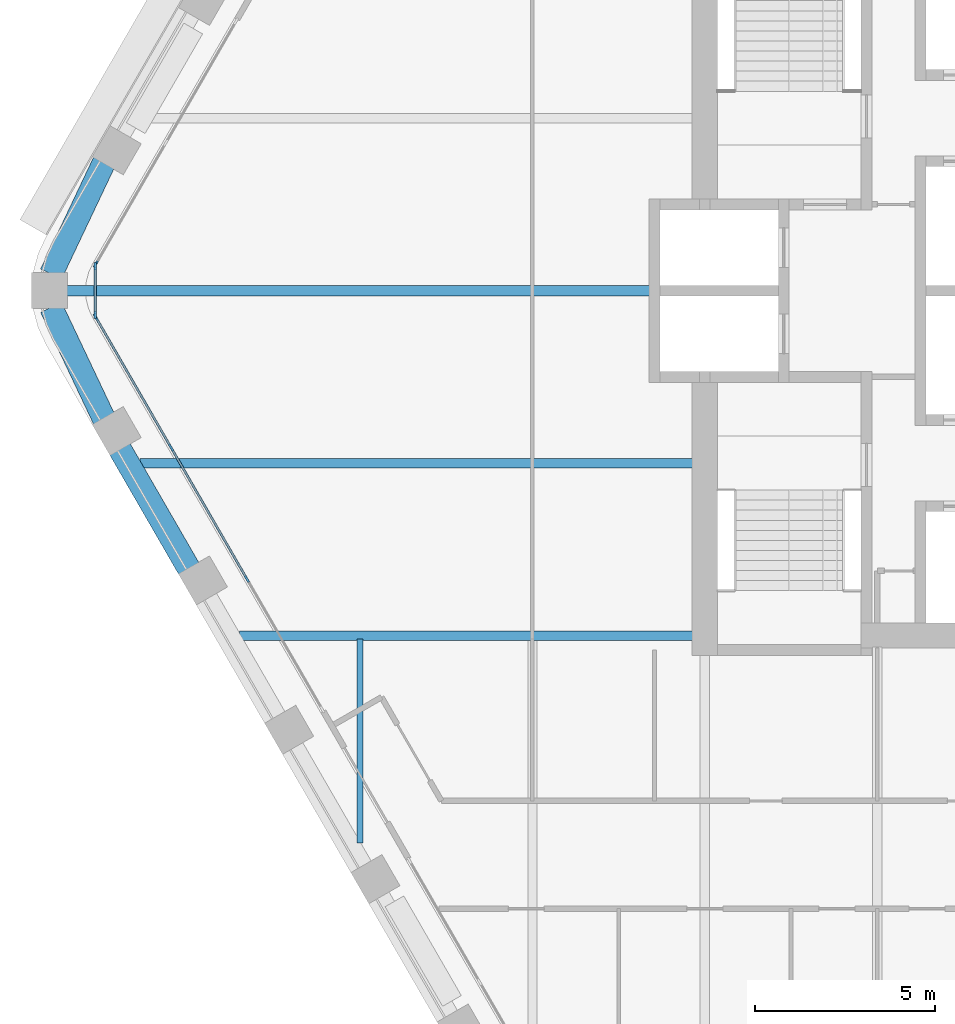
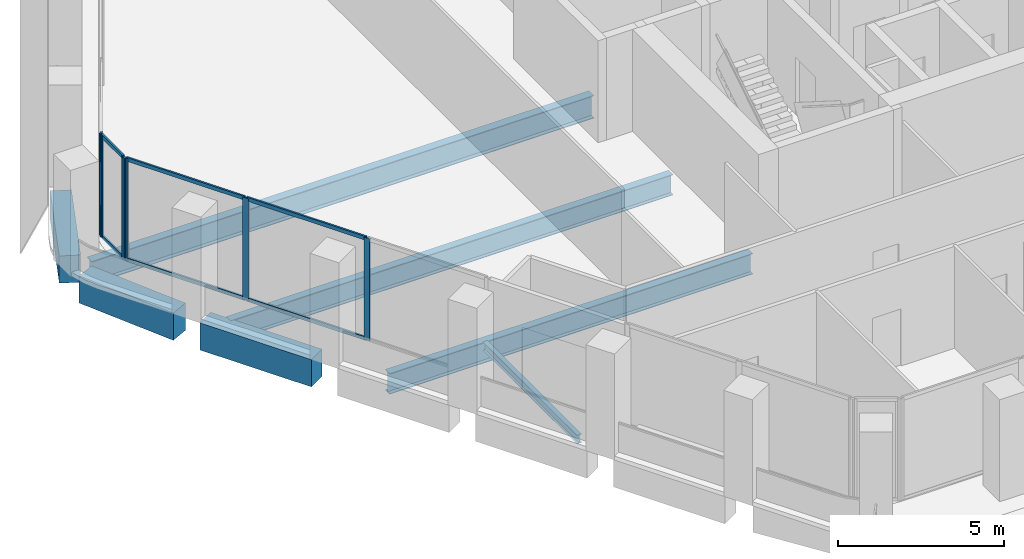
# One storey, part 3 of 17: 12 members, 7 beams, 3 elements without a shape of their own.
"""IFC4 building model written with IfcOpenShell, lengths in metres."""

from ifc_helpers import new_model, si_unit, direction, frame, origin, origin_2d, place, context, subcontext, project, spatial, rectangle, i_section, extrude, material, material_profile, profile_set, type_object, element, aggregate, save


model = new_model("IFC4")

# Units and contexts
model_context = context("Model", 3, precision=1e-05, world=origin(), true_north=direction((0.0, 1.0)))
body_context = subcontext(model_context, "Body", "Model", "MODEL_VIEW")
ifc_project = project(units=[si_unit("LENGTHUNIT", "METRE"), si_unit("AREAUNIT", "SQUARE_METRE"), si_unit("VOLUMEUNIT", "CUBIC_METRE"), si_unit("PLANEANGLEUNIT", "RADIAN"), si_unit("MASSUNIT", "GRAM", prefix="KILO")], contexts=[model_context])

# Site, building, storey
site_placement = place(None, origin())
site = spatial("IfcSite", under=ifc_project, at=site_placement, CompositionType="ELEMENT")
building_placement = place(site_placement, origin())
building = spatial("IfcBuilding", under=site, at=building_placement, Name="Kolab Exchange Tower", CompositionType="ELEMENT")
storey_placement = place(building_placement, frame((0.0, 0.0, 197.300048828125)))
storey = spatial("IfcBuildingStorey", under=building, at=storey_placement, Name="L42", CompositionType="ELEMENT", Elevation=197.300048828125)

# Beams
ifc_material_1 = material(Name="Steel S355", Category="steel")
ifc_material_profile_1 = material_profile(ifc_material_1, i_section(OverallWidth=0.1650390625, OverallDepth=0.31005859375, WebThickness=0.005859375, FlangeThickness=0.009765625, at=origin_2d()), Name="W310X39")
ifc_profile_set_1 = profile_set([ifc_material_profile_1], Name="Steel S355")
beam_type_1 = type_object("IfcBeamType", Name="FLOOR BEAM W310X39", PredefinedType="BEAM", material=ifc_profile_set_1)
beam_1_placement = place(storey_placement, frame((-19.199951171875, -15.36767578125, -0.304931640625), z_axis=(0.0, 1.0, 0.0), x_axis=(-1.0, 0.0, 0.0)))
element("IfcBeam", 1, at=beam_1_placement, inside=storey, type_object=beam_type_1, Name="beam/L42/fr/003", PredefinedType="BEAM", context=body_context, shape_type="SweptSolid", body=[
    extrude(i_section(OverallWidth=0.1650390625, OverallDepth=0.31005859375, WebThickness=0.005859375, FlangeThickness=0.009765625, at=origin_2d()), origin(), (0.0, 0.0, 1.0), 5.674072265625),
])
ifc_material_profile_2 = material_profile(ifc_material_1, i_section(OverallWidth=0.26708984375, OverallDepth=0.761962890625, WebThickness=0.014404296875, FlangeThickness=0.021484375, at=origin_2d()), Name="W760X173")
ifc_profile_set_2 = profile_set([ifc_material_profile_2], Name="Steel S355")
beam_type_2 = type_object("IfcBeamType", Name="FLOOR BEAM W760X173", PredefinedType="BEAM", material=ifc_profile_set_2)
beam_2_placement = place(storey_placement, frame((-25.318115234375, -4.800048828125, -0.531005859375), z_axis=(1.0, 0.0, 0.0), x_axis=(0.0, 1.0, 0.0)))
element("IfcBeam", 2, at=beam_2_placement, inside=storey, type_object=beam_type_2, Name="beam/L42/fr/001", PredefinedType="BEAM", context=body_context, shape_type="SweptSolid", body=[
    extrude(i_section(OverallWidth=0.26708984375, OverallDepth=0.761962890625, WebThickness=0.014404296875, FlangeThickness=0.021484375, at=origin_2d()), origin(), (0.0, 0.0, 1.0), 15.408203125),
])
ifc_material_profile_3 = material_profile(ifc_material_1, i_section(OverallWidth=0.2919921875, OverallDepth=0.840087890625, WebThickness=0.0146484375, FlangeThickness=0.021728515625, at=origin_2d()), Name="W840X193")
ifc_profile_set_3 = profile_set([ifc_material_profile_3], Name="Steel S355")
beam_type_3 = type_object("IfcBeamType", Name="FLOOR BEAM W840X193", PredefinedType="BEAM", material=ifc_profile_set_3)
beam_3_placement = place(storey_placement, frame((-27.3759765625, 0.0, -0.570068359375), z_axis=(1.0, 0.0, 0.0), x_axis=(0.0, 1.0, 0.0)))
element("IfcBeam", 3, at=beam_3_placement, inside=storey, type_object=beam_type_3, Name="beam/L42/fr/000", PredefinedType="BEAM", context=body_context, shape_type="SweptSolid", body=[
    extrude(i_section(OverallWidth=0.2919921875, OverallDepth=0.840087890625, WebThickness=0.0146484375, FlangeThickness=0.021728515625, at=origin_2d()), origin(), (0.0, 0.0, 1.0), 17.466064453125),
])
ifc_material_profile_4 = material_profile(ifc_material_1, i_section(OverallWidth=0.26708984375, OverallDepth=0.761962890625, WebThickness=0.014404296875, FlangeThickness=0.021484375, at=origin_2d()), Name="W760X173")
ifc_profile_set_4 = profile_set([ifc_material_profile_4], Name="Steel S355")
beam_type_4 = type_object("IfcBeamType", Name="FLOOR GIRDER W760X173", PredefinedType="BEAM", material=ifc_profile_set_4)
beam_4_placement = place(storey_placement, frame((-22.546875, -9.60009765625, -0.531005859375), z_axis=(1.0, 0.0, 0.0), x_axis=(0.0, 1.0, 0.0)))
element("IfcBeam", 4, at=beam_4_placement, inside=storey, type_object=beam_type_4, Name="beam/L42/gd/000", PredefinedType="BEAM", context=body_context, shape_type="SweptSolid", body=[
    extrude(i_section(OverallWidth=0.26708984375, OverallDepth=0.761962890625, WebThickness=0.014404296875, FlangeThickness=0.021484375, at=origin_2d()), origin(), (0.0, 0.0, 1.0), 12.636962890625),
])
ifc_material_2 = material(Name="Concrete C60/75", Category="concrete")
ifc_material_profile_5 = material_profile(ifc_material_2, rectangle(XDim=0.64990234375, YDim=1.0, at=origin_2d()), Name="RC650X1000")
ifc_profile_set_5 = profile_set([ifc_material_profile_5], Name="Concrete C60/75")
beam_type_5 = type_object("IfcBeamType", Name="SPANDREL BEAM 650X1000 C60/75", PredefinedType="BEAM", material=ifc_profile_set_5)
beam_5_placement = place(storey_placement, frame((-23.948486328125, -7.7529296875, -0.650146484375), z_axis=(-0.499996613652, 0.866027358884, 0.0), x_axis=(-0.866027358884, -0.499996613652, 0.0)))
element("IfcBeam", 5, at=beam_5_placement, inside=storey, type_object=beam_type_5, Name="beam/L42/sp/F5-05", PredefinedType="BEAM", context=body_context, shape_type="SweptSolid", body=[
    extrude(rectangle(XDim=0.64990234375, YDim=1.0, at=origin_2d()), origin(), (0.0, 0.0, 1.0), 3.8798828125),
])
for number, where, z_axis, x_axis, name in (
    (6, (-26.316162109375, -3.5771484375, -0.650146484375), (-0.428177731975, 0.903694544545, 0.0), (-0.903694544545, -0.428177731975, 0.0), "beam/L42/sp/F5-06"),
    (7, (-27.791259765625, 0.4638671875, -0.650146484375), (0.428177731975, 0.903694544545, 0.0), (-0.903694544545, 0.428177731975, 0.0), "beam/L42/sp/F6-01"),
):
    element("IfcBeam", number, at=place(storey_placement, frame(where, z_axis=z_axis, x_axis=x_axis)), inside=storey, type_object=beam_type_5, Name=name, PredefinedType="BEAM", context=body_context, shape_type="SweptSolid", body=[
        extrude(rectangle(XDim=0.64990234375, YDim=1.0, at=origin_2d()), origin(), (0.0, 0.0, 1.0), 3.445068359375),
    ])

# Curtain wall, members
ifc_material_3 = material(Name="Aluminium EN AW-6063 T6", Category="aluminium")
curtain_wall_type = type_object("IfcCurtainWallType", Name="UNITISED UPPER MID ZONE CURTAIN WALL", PredefinedType="NOTDEFINED", material=ifc_material_3)
curtain_wall_1_placement = place(storey_placement, origin())
curtain_wall_1 = element("IfcCurtainWall", 8, at=curtain_wall_1_placement, inside=storey, type_object=curtain_wall_type, Name="cw/L42/F5-2", PredefinedType="NOTDEFINED")
ifc_material_profile_6 = material_profile(ifc_material_3, rectangle(XDim=0.06005859375, YDim=0.199951171875, at=origin_2d()), Name="RECT 60X200")
ifc_profile_set_6 = profile_set([ifc_material_profile_6], Name="Aluminium EN AW-6063 T6")
member_type_1 = type_object("IfcMemberType", Name="UNITISED UPPER MID ZONE MULLION 60 X 200", PredefinedType="MULLION", material=ifc_profile_set_6)
member_1_placement = place(storey_placement, frame((-22.343017578125, -8.02392578125, 0.0), z_axis=(0.0, 0.0, 1.0), x_axis=(-0.866025427826, -0.499999958358, 0.0)))
member_1 = element("IfcMember", 9, at=member_1_placement, type_object=member_type_1, Name="CW3 mullion 2", PredefinedType="MULLION", context=body_context, shape_type="SweptSolid", body=[
    extrude(rectangle(XDim=0.06005859375, YDim=0.199951171875, at=origin_2d()), origin(), (0.0, 0.0, 1.0), 3.75),
])
member_2_placement = place(storey_placement, frame((-24.454345703125, -4.366943359375, 0.0), z_axis=(0.0, 0.0, 1.0), x_axis=(-0.866025427826, -0.499999958358, 0.0)))
member_2 = element("IfcMember", 10, at=member_2_placement, type_object=member_type_1, Name="CW3 mullion 3", PredefinedType="MULLION", context=body_context, shape_type="SweptSolid", body=[
    extrude(rectangle(XDim=0.06005859375, YDim=0.199951171875, at=origin_2d()), origin(), (0.0, 0.0, 1.0), 3.75),
])
member_3_placement = place(storey_placement, frame((-26.550537109375, -0.736083984375, 0.0), z_axis=(0.0, 0.0, 1.0), x_axis=(-0.866025427826, -0.499999958358, 0.0)))
member_3 = element("IfcMember", 11, at=member_3_placement, type_object=member_type_1, Name="CW3 mullion 4", PredefinedType="MULLION", context=body_context, shape_type="SweptSolid", body=[
    extrude(rectangle(XDim=0.06005859375, YDim=0.199951171875, at=origin_2d()), origin(), (0.0, 0.0, 1.0), 3.75),
])

# Curtain wall, member
curtain_wall_2_placement = place(storey_placement, origin())
curtain_wall_2 = element("IfcCurtainWall", 12, at=curtain_wall_2_placement, inside=storey, type_object=curtain_wall_type, Name="cw/L42/F6-1", PredefinedType="NOTDEFINED")
member_4_placement = place(storey_placement, frame((-26.550537109375, 0.736083984375, 0.0), z_axis=(0.0, 0.0, 1.0), x_axis=(-0.866025440524, 0.499999936366, 0.0)))
member_4 = element("IfcMember", 13, at=member_4_placement, type_object=member_type_1, Name="CW3 mullion 1", PredefinedType="MULLION", context=body_context, shape_type="SweptSolid", body=[
    extrude(rectangle(XDim=0.06005859375, YDim=0.199951171875, at=origin_2d()), origin(), (0.0, 0.0, 1.0), 3.75),
])
aggregate(curtain_wall_2, [member_4])

# Curtain wall, members
curtain_wall_3_placement = place(storey_placement, origin())
curtain_wall_3 = element("IfcCurtainWall", 14, at=curtain_wall_3_placement, inside=storey, type_object=curtain_wall_type, Name="cw/L42/F5F6-corner", PredefinedType="NOTDEFINED")
member_5_placement = place(storey_placement, frame((-26.565673828125, -0.679931640625, 0.0), z_axis=(0.0, 0.0, 1.0), x_axis=(-1.0, 0.0, 0.0)))
member_5 = element("IfcMember", 15, at=member_5_placement, type_object=member_type_1, Name="CW3 mullion 1", PredefinedType="MULLION", context=body_context, shape_type="SweptSolid", body=[
    extrude(rectangle(XDim=0.06005859375, YDim=0.199951171875, at=origin_2d()), origin(), (0.0, 0.0, 1.0), 3.75),
])
member_6_placement = place(storey_placement, frame((-26.565673828125, 0.679931640625, 0.0), z_axis=(0.0, 0.0, 1.0), x_axis=(-1.0, 0.0, 0.0)))
member_6 = element("IfcMember", 16, at=member_6_placement, type_object=member_type_1, Name="CW3 mullion 2", PredefinedType="MULLION", context=body_context, shape_type="SweptSolid", body=[
    extrude(rectangle(XDim=0.06005859375, YDim=0.199951171875, at=origin_2d()), origin(), (0.0, 0.0, 1.0), 3.75),
])

# Member
ifc_material_profile_7 = material_profile(ifc_material_3, rectangle(XDim=0.06005859375, YDim=0.139892578125, at=origin_2d()), Name="RECT 60X140")
ifc_profile_set_7 = profile_set([ifc_material_profile_7], Name="Aluminium EN AW-6063 T6")
member_type_2 = type_object("IfcMemberType", Name="UNITISED UPPER MID ZONE TRANSOM 60 X 140", PredefinedType="USERDEFINED", material=ifc_profile_set_7)
member_7_placement = place(storey_placement, frame((-22.35791015625, -7.997802734375, 0.030029296875), z_axis=(-0.49999322259, 0.866029316688, 0.0), x_axis=(-0.866029316688, -0.49999322259, 0.0)))
member_7 = element("IfcMember", 17, at=member_7_placement, type_object=member_type_2, Name="CW3 transom 2.1", ObjectType="TRANSOM", PredefinedType="USERDEFINED", context=body_context, shape_type="SweptSolid", body=[
    extrude(rectangle(XDim=0.06005859375, YDim=0.139892578125, at=origin_2d()), origin(), (0.0, 0.0, 1.0), 4.16259765625),
])

member_8_placement = place(storey_placement, frame((-22.35791015625, -7.997802734375, 3.719970703125), z_axis=(-0.49999322259, 0.866029316688, 0.0), x_axis=(-0.866029316688, -0.49999322259, 0.0)))
member_8 = element("IfcMember", 18, at=member_8_placement, type_object=member_type_2, Name="CW3 transom 2.2", ObjectType="TRANSOM", PredefinedType="USERDEFINED", context=body_context, shape_type="SweptSolid", body=[
    extrude(rectangle(XDim=0.06005859375, YDim=0.139892578125, at=origin_2d()), origin(), (0.0, 0.0, 1.0), 4.16259765625),
])

member_9_placement = place(storey_placement, frame((-24.46923828125, -4.3408203125, 0.030029296875), z_axis=(-0.500027577057, 0.866009481578, 0.0), x_axis=(-0.866009481578, -0.500027577057, 0.0)))
member_9 = element("IfcMember", 19, at=member_9_placement, type_object=member_type_2, Name="CW3 transom 3.1", ObjectType="TRANSOM", PredefinedType="USERDEFINED", context=body_context, shape_type="SweptSolid", body=[
    extrude(rectangle(XDim=0.06005859375, YDim=0.139892578125, at=origin_2d()), origin(), (0.0, 0.0, 1.0), 4.132568359375),
])

member_10_placement = place(storey_placement, frame((-24.46923828125, -4.3408203125, 3.719970703125), z_axis=(-0.500027577057, 0.866009481578, 0.0), x_axis=(-0.866009481578, -0.500027577057, 0.0)))
member_10 = element("IfcMember", 20, at=member_10_placement, type_object=member_type_2, Name="CW3 transom 3.2", ObjectType="TRANSOM", PredefinedType="USERDEFINED", context=body_context, shape_type="SweptSolid", body=[
    extrude(rectangle(XDim=0.06005859375, YDim=0.139892578125, at=origin_2d()), origin(), (0.0, 0.0, 1.0), 4.132568359375),
])

aggregate(curtain_wall_1, [member_1, member_2, member_3, member_7, member_8, member_9, member_10])

member_11_placement = place(storey_placement, frame((-26.565673828125, -0.64990234375, 0.030029296875), z_axis=(0.0, 1.0, 0.0), x_axis=(-1.0, 0.0, 0.0)))
member_11 = element("IfcMember", 21, at=member_11_placement, type_object=member_type_2, Name="CW3 transom 1.1", ObjectType="TRANSOM", PredefinedType="USERDEFINED", context=body_context, shape_type="SweptSolid", body=[
    extrude(rectangle(XDim=0.06005859375, YDim=0.139892578125, at=origin_2d()), origin(), (0.0, 0.0, 1.0), 1.2998046875),
])

member_12_placement = place(storey_placement, frame((-26.565673828125, -0.64990234375, 3.719970703125), z_axis=(0.0, 1.0, 0.0), x_axis=(-1.0, 0.0, 0.0)))
member_12 = element("IfcMember", 22, at=member_12_placement, type_object=member_type_2, Name="CW3 transom 1.2", ObjectType="TRANSOM", PredefinedType="USERDEFINED", context=body_context, shape_type="SweptSolid", body=[
    extrude(rectangle(XDim=0.06005859375, YDim=0.139892578125, at=origin_2d()), origin(), (0.0, 0.0, 1.0), 1.2998046875),
])

aggregate(curtain_wall_3, [member_5, member_6, member_11, member_12])

save(model, "model.ifc")
